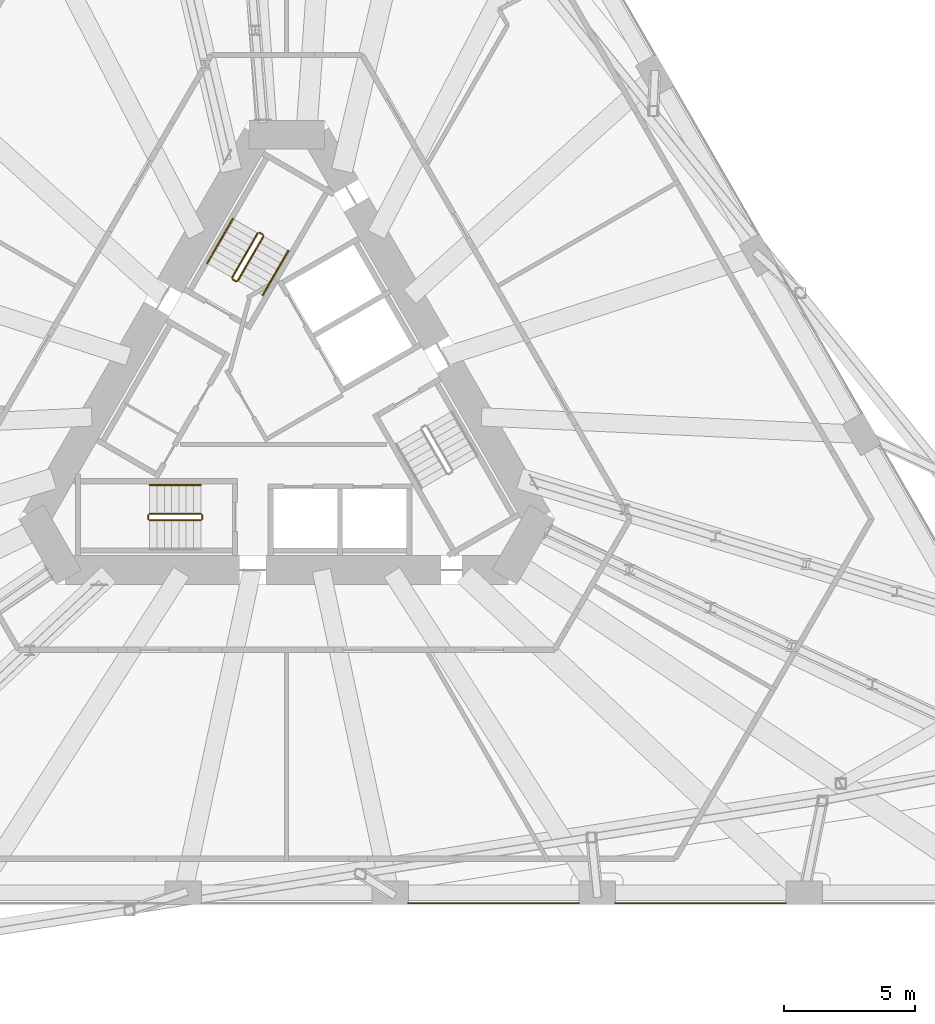
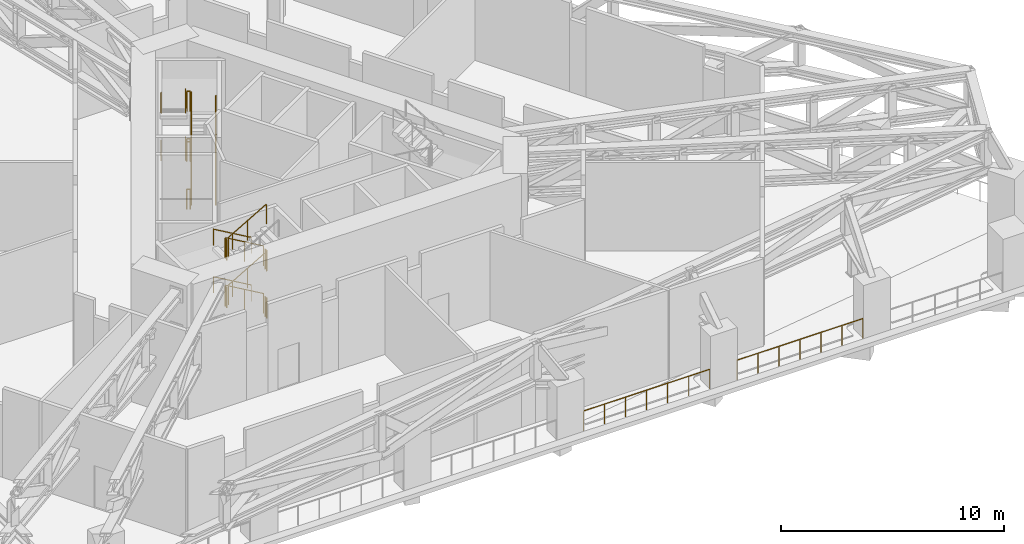
# One storey, part 18 of 20: 24 railings.
"""IFC4 building model written with IfcOpenShell, lengths in metres."""

from ifc_helpers import new_model, si_unit, direction, frame, origin, origin_2d, place, context, subcontext, project, spatial, circle, extrude, material, type_object, element, save


model = new_model("IFC4")

# Units and contexts
model_context = context("Model", 3, precision=1e-05, world=origin(), true_north=direction((0.0, 1.0)))
body_context = subcontext(model_context, "Body", "Model", "MODEL_VIEW")
ifc_project = project(units=[si_unit("LENGTHUNIT", "METRE"), si_unit("AREAUNIT", "SQUARE_METRE"), si_unit("VOLUMEUNIT", "CUBIC_METRE"), si_unit("PLANEANGLEUNIT", "RADIAN"), si_unit("MASSUNIT", "GRAM", prefix="KILO")], contexts=[model_context])

# Site, building, storey
site_placement = place(None, origin())
site = spatial("IfcSite", under=ifc_project, at=site_placement, CompositionType="ELEMENT")
building_placement = place(site_placement, origin())
building = spatial("IfcBuilding", under=site, at=building_placement, Name="Tramontana Tower", CompositionType="ELEMENT")
storey_placement = place(building_placement, frame((0.0, 0.0, 46.0)))
storey = spatial("IfcBuildingStorey", under=building, at=storey_placement, Name="L09", CompositionType="ELEMENT", Elevation=46.0)

# Railings
ifc_material_1 = material(Name="Stainless steel rail and posts", Category="steel")
railing_type_1 = type_object("IfcRailingType", Name="GD2 Terrace guard 1100", PredefinedType="GUARDRAIL", material=ifc_material_1)
for number, where, name in (
    (1, (4.658935546875, -18.949951171875, 0.0), "Edge guard L09 15"),
    (2, (12.576904296875, -18.949951171875, 0.0), "Edge guard L09 18"),
):
    element("IfcRailing", number, at=place(storey_placement, frame(where)), inside=storey, type_object=railing_type_1, Name=name, PredefinedType="GUARDRAIL", context=body_context, shape_type="SweptSolid", body=[
        extrude(circle(Radius=0.02392578125, at=origin_2d()), frame((0.0, 0.0, 1.076171875), z_axis=(1.0, 0.0, 0.0), x_axis=(0.0, 1.0, 0.0)), (0.0, 0.0, 1.0), 6.51806640625),
        extrude(circle(Radius=0.02099609375, at=origin_2d()), origin(), (0.0, 0.0, 1.0), 1.052001953125),
        extrude(circle(Radius=0.02099609375, at=origin_2d()), frame((1.08642578125, 0.0, 0.0)), (0.0, 0.0, 1.0), 1.052001953125),
        extrude(circle(Radius=0.02099609375, at=origin_2d()), frame((2.172607421875, 0.0, 0.0)), (0.0, 0.0, 1.0), 1.052001953125),
        extrude(circle(Radius=0.02099609375, at=origin_2d()), frame((3.259033203125, 0.0, 0.0)), (0.0, 0.0, 1.0), 1.052001953125),
        extrude(circle(Radius=0.02099609375, at=origin_2d()), frame((4.345458984375, 0.0, 0.0)), (0.0, 0.0, 1.0), 1.052001953125),
        extrude(circle(Radius=0.02099609375, at=origin_2d()), frame((5.431640625, 0.0, 0.0)), (0.0, 0.0, 1.0), 1.052001953125),
        extrude(circle(Radius=0.02099609375, at=origin_2d()), frame((6.51806640625, 0.0, 0.0)), (0.0, 0.0, 1.0), 1.052001953125),
    ])
ifc_material_2 = material(Name="Painted steel", Category="steel")
railing_type_2 = type_object("IfcRailingType", Name="STAIR GUARD 1100", PredefinedType="GUARDRAIL", material=ifc_material_2)
railing_1_placement = place(storey_placement, frame((-1.867431640625, 4.865478515625, 0.16259765625)))
element("IfcRailing", 3, at=railing_1_placement, inside=storey, type_object=railing_type_2, Name="L09 ST1 stair guard 1", PredefinedType="GUARDRAIL", context=body_context, shape_type="SweptSolid", body=[
    extrude(circle(Radius=0.02392578125, at=origin_2d()), frame((0.0, 0.0, 1.076171875), z_axis=(0.432431929651, 0.749053115811, 0.501918375746), x_axis=(-0.866042469362, 0.499970440388, 0.0)), (0.0, 0.0, 1.0), 2.26611328125),
    extrude(circle(Radius=0.02099609375, at=origin_2d()), origin(), (0.0, 0.0, 1.0), 1.052001953125),
    extrude(circle(Radius=0.02099609375, at=origin_2d()), frame((0.489990234375, 0.8486328125, 0.56884765625)), (0.0, 0.0, 1.0), 1.052001953125),
    extrude(circle(Radius=0.02099609375, at=origin_2d()), frame((0.97998046875, 1.697509765625, 1.137451171875)), (0.0, 0.0, 1.0), 1.052001953125),
])
railing_2_placement = place(storey_placement, frame((-1.10400390625, 6.68798828125, 1.46240234375)))
element("IfcRailing", 4, at=railing_2_placement, inside=storey, type_object=railing_type_2, Name="L09 ST1 stair guard 2", PredefinedType="GUARDRAIL", context=body_context, shape_type="SweptSolid", body=[
    extrude(circle(Radius=0.02392578125, at=origin_2d()), frame((0.0, 0.0, 1.076171875), z_axis=(-0.432408546523, -0.749012611852, 0.501998960338), x_axis=(0.866042469362, -0.499970440388, 0.0)), (0.0, 0.0, 1.0), 2.266357421875),
    extrude(circle(Radius=0.02099609375, at=origin_2d()), origin(), (0.0, 0.0, 1.0), 1.052001953125),
    extrude(circle(Radius=0.02099609375, at=origin_2d()), frame((-0.489990234375, -0.8486328125, 0.56884765625)), (0.0, 0.0, 1.0), 1.052001953125),
    extrude(circle(Radius=0.02099609375, at=origin_2d()), frame((-0.97998046875, -1.697509765625, 1.1376953125)), (0.0, 0.0, 1.0), 1.052001953125),
])
railing_3_placement = place(storey_placement, frame((-1.867431640625, 4.865478515625, 2.762451171875)))
element("IfcRailing", 5, at=railing_3_placement, inside=storey, type_object=railing_type_2, Name="L09 ST1 stair guard 3", PredefinedType="GUARDRAIL", context=body_context, shape_type="SweptSolid", body=[
    extrude(circle(Radius=0.02392578125, at=origin_2d()), frame((0.0, 0.0, 1.076171875), z_axis=(0.432431929651, 0.749053115811, 0.501918375746), x_axis=(-0.866042469362, 0.499970440388, 0.0)), (0.0, 0.0, 1.0), 2.26611328125),
    extrude(circle(Radius=0.02099609375, at=origin_2d()), origin(), (0.0, 0.0, 1.0), 1.052001953125),
    extrude(circle(Radius=0.02099609375, at=origin_2d()), frame((0.489990234375, 0.8486328125, 0.56884765625)), (0.0, 0.0, 1.0), 1.052001953125),
    extrude(circle(Radius=0.02099609375, at=origin_2d()), frame((0.97998046875, 1.697509765625, 1.137451171875)), (0.0, 0.0, 1.0), 1.052001953125),
])
railing_4_placement = place(storey_placement, frame((-1.10400390625, 6.68798828125, 4.0625)))
element("IfcRailing", 6, at=railing_4_placement, inside=storey, type_object=railing_type_2, Name="L09 ST1 stair guard 4", PredefinedType="GUARDRAIL", context=body_context, shape_type="SweptSolid", body=[
    extrude(circle(Radius=0.02392578125, at=origin_2d()), frame((0.0, 0.0, 1.076171875), z_axis=(-0.432431929651, -0.749053115811, 0.501918375746), x_axis=(0.866042469362, -0.499970440388, 0.0)), (0.0, 0.0, 1.0), 2.26611328125),
    extrude(circle(Radius=0.02099609375, at=origin_2d()), origin(), (0.0, 0.0, 1.0), 1.052001953125),
    extrude(circle(Radius=0.02099609375, at=origin_2d()), frame((-0.489990234375, -0.8486328125, 0.56884765625)), (0.0, 0.0, 1.0), 1.052001953125),
    extrude(circle(Radius=0.02099609375, at=origin_2d()), frame((-0.97998046875, -1.697509765625, 1.137451171875)), (0.0, 0.0, 1.0), 1.052001953125),
])
railing_5_placement = place(storey_placement, frame((-0.90576171875, 6.63134765625, 1.300048828125)))
element("IfcRailing", 7, at=railing_5_placement, inside=storey, type_object=railing_type_2, Name="L09 ST1 stair guard 5", PredefinedType="GUARDRAIL", context=body_context, shape_type="SweptSolid", body=[
    extrude(circle(Radius=0.02392578125, at=origin_2d()), frame((0.0, 0.0, 1.076171875), z_axis=(-0.866131372301, 0.499816412211, 0.0), x_axis=(-0.499816412211, -0.866131372301, 0.0)), (0.0, 0.0, 1.0), 0.14990234375),
    extrude(circle(Radius=0.02099609375, at=origin_2d()), origin(), (0.0, 0.0, 1.0), 1.052001953125),
    extrude(circle(Radius=0.02099609375, at=origin_2d()), frame((-0.1298828125, 0.074951171875, 0.0)), (0.0, 0.0, 1.0), 1.052001953125),
])
railing_6_placement = place(storey_placement, frame((-1.935791015625, 4.84716796875, 2.60009765625)))
element("IfcRailing", 8, at=railing_6_placement, inside=storey, type_object=railing_type_2, Name="L09 ST1 stair guard 6", PredefinedType="GUARDRAIL", context=body_context, shape_type="SweptSolid", body=[
    extrude(circle(Radius=0.02392578125, at=origin_2d()), frame((0.0, 0.0, 1.076171875), z_axis=(-0.865426285481, 0.501036270542, 0.0), x_axis=(-0.501036270542, -0.865426285481, 0.0)), (0.0, 0.0, 1.0), 0.150146484375),
    extrude(circle(Radius=0.02099609375, at=origin_2d()), origin(), (0.0, 0.0, 1.0), 1.052001953125),
    extrude(circle(Radius=0.02099609375, at=origin_2d()), frame((-0.1298828125, 0.0751953125, 0.0)), (0.0, 0.0, 1.0), 1.052001953125),
])
railing_7_placement = place(storey_placement, frame((-0.90576171875, 6.63134765625, 3.89990234375)))
element("IfcRailing", 9, at=railing_7_placement, inside=storey, type_object=railing_type_2, Name="L09 ST1 stair guard 7", PredefinedType="GUARDRAIL", context=body_context, shape_type="SweptSolid", body=[
    extrude(circle(Radius=0.02392578125, at=origin_2d()), frame((0.0, 0.0, 1.076171875), z_axis=(-0.866131372301, 0.499816412211, 0.0), x_axis=(-0.499816412211, -0.866131372301, 0.0)), (0.0, 0.0, 1.0), 0.14990234375),
    extrude(circle(Radius=0.02099609375, at=origin_2d()), origin(), (0.0, 0.0, 1.0), 1.052001953125),
    extrude(circle(Radius=0.02099609375, at=origin_2d()), frame((-0.1298828125, 0.074951171875, 0.0)), (0.0, 0.0, 1.0), 1.052001953125),
])
railing_8_placement = place(storey_placement, frame((-1.935791015625, 4.84716796875, 0.0)))
element("IfcRailing", 10, at=railing_8_placement, inside=storey, type_object=railing_type_2, Name="L09 ST1 stair guard 8", PredefinedType="GUARDRAIL", context=body_context, shape_type="SweptSolid", body=[
    extrude(circle(Radius=0.02392578125, at=origin_2d()), frame((0.0, 0.0, 1.076171875), z_axis=(-0.865426285481, 0.501036270542, 0.0), x_axis=(-0.501036270542, -0.865426285481, 0.0)), (0.0, 0.0, 1.0), 0.150146484375),
    extrude(circle(Radius=0.02099609375, at=origin_2d()), origin(), (0.0, 0.0, 1.0), 1.052001953125),
    extrude(circle(Radius=0.02099609375, at=origin_2d()), frame((-0.1298828125, 0.0751953125, 0.0)), (0.0, 0.0, 1.0), 1.052001953125),
])
railing_9_placement = place(storey_placement, frame((-3.280029296875, -4.050048828125, 0.16259765625)))
element("IfcRailing", 11, at=railing_9_placement, inside=storey, type_object=railing_type_2, Name="L09 ST2 stair guard 1", PredefinedType="GUARDRAIL", context=body_context, shape_type="SweptSolid", body=[
    extrude(circle(Radius=0.02392578125, at=origin_2d()), frame((0.0, 0.0, 1.076171875), z_axis=(-0.864902109995, 0.0, 0.501940574298), x_axis=(0.0, -1.0, 0.0)), (0.0, 0.0, 1.0), 2.26611328125),
    extrude(circle(Radius=0.02099609375, at=origin_2d()), origin(), (0.0, 0.0, 1.0), 1.052001953125),
    extrude(circle(Radius=0.02099609375, at=origin_2d()), frame((-0.97998046875, 0.0, 0.56884765625)), (0.0, 0.0, 1.0), 1.052001953125),
    extrude(circle(Radius=0.02099609375, at=origin_2d()), frame((-1.9599609375, 0.0, 1.137451171875)), (0.0, 0.0, 1.0), 1.052001953125),
])
railing_10_placement = place(storey_placement, frame((-5.239990234375, -4.300048828125, 1.46240234375)))
element("IfcRailing", 12, at=railing_10_placement, inside=storey, type_object=railing_type_2, Name="L09 ST2 stair guard 2", PredefinedType="GUARDRAIL", context=body_context, shape_type="SweptSolid", body=[
    extrude(circle(Radius=0.02392578125, at=origin_2d()), frame((0.0, 0.0, 1.076171875), z_axis=(0.864855337533, 0.0, 0.502021160053), x_axis=(0.0, 1.0, 0.0)), (0.0, 0.0, 1.0), 2.26611328125),
    extrude(circle(Radius=0.02099609375, at=origin_2d()), origin(), (0.0, 0.0, 1.0), 1.052001953125),
    extrude(circle(Radius=0.02099609375, at=origin_2d()), frame((0.97998046875, 0.0, 0.56884765625)), (0.0, 0.0, 1.0), 1.052001953125),
    extrude(circle(Radius=0.02099609375, at=origin_2d()), frame((1.9599609375, 0.0, 1.1376953125)), (0.0, 0.0, 1.0), 1.052001953125),
])
railing_11_placement = place(storey_placement, frame((-3.280029296875, -4.050048828125, 2.762451171875)))
element("IfcRailing", 13, at=railing_11_placement, inside=storey, type_object=railing_type_2, Name="L09 ST2 stair guard 3", PredefinedType="GUARDRAIL", context=body_context, shape_type="SweptSolid", body=[
    extrude(circle(Radius=0.02392578125, at=origin_2d()), frame((0.0, 0.0, 1.076171875), z_axis=(-0.864902109995, 0.0, 0.501940574298), x_axis=(0.0, -1.0, 0.0)), (0.0, 0.0, 1.0), 2.26611328125),
    extrude(circle(Radius=0.02099609375, at=origin_2d()), origin(), (0.0, 0.0, 1.0), 1.052001953125),
    extrude(circle(Radius=0.02099609375, at=origin_2d()), frame((-0.97998046875, 0.0, 0.56884765625)), (0.0, 0.0, 1.0), 1.052001953125),
    extrude(circle(Radius=0.02099609375, at=origin_2d()), frame((-1.9599609375, 0.0, 1.137451171875)), (0.0, 0.0, 1.0), 1.052001953125),
])
railing_12_placement = place(storey_placement, frame((-5.239990234375, -4.300048828125, 4.0625)))
element("IfcRailing", 14, at=railing_12_placement, inside=storey, type_object=railing_type_2, Name="L09 ST2 stair guard 4", PredefinedType="GUARDRAIL", context=body_context, shape_type="SweptSolid", body=[
    extrude(circle(Radius=0.02392578125, at=origin_2d()), frame((0.0, 0.0, 1.076171875), z_axis=(0.864902109995, 0.0, 0.501940574298), x_axis=(0.0, 1.0, 0.0)), (0.0, 0.0, 1.0), 2.26611328125),
    extrude(circle(Radius=0.02099609375, at=origin_2d()), origin(), (0.0, 0.0, 1.0), 1.052001953125),
    extrude(circle(Radius=0.02099609375, at=origin_2d()), frame((0.97998046875, 0.0, 0.56884765625)), (0.0, 0.0, 1.0), 1.052001953125),
    extrude(circle(Radius=0.02099609375, at=origin_2d()), frame((1.9599609375, 0.0, 1.137451171875)), (0.0, 0.0, 1.0), 1.052001953125),
])
for number, where, name in (
    (15, (-5.2900390625, -4.10009765625, 1.300048828125), "L09 ST2 stair guard 5"),
    (16, (-3.22998046875, -4.10009765625, 2.60009765625), "L09 ST2 stair guard 6"),
    (17, (-5.2900390625, -4.10009765625, 3.89990234375), "L09 ST2 stair guard 7"),
    (18, (-3.22998046875, -4.10009765625, 0.0), "L09 ST2 stair guard 8"),
):
    element("IfcRailing", number, at=place(storey_placement, frame(where)), inside=storey, type_object=railing_type_2, Name=name, PredefinedType="GUARDRAIL", context=body_context, shape_type="SweptSolid", body=[
        extrude(circle(Radius=0.02392578125, at=origin_2d()), frame((0.0, 0.0, 1.076171875), z_axis=(0.0, -1.0, 0.0), x_axis=(1.0, 0.0, 0.0)), (0.0, 0.0, 1.0), 0.14990234375),
        extrude(circle(Radius=0.02099609375, at=origin_2d()), origin(), (0.0, 0.0, 1.0), 1.052001953125),
        extrude(circle(Radius=0.02099609375, at=origin_2d()), frame((0.0, -0.14990234375, 0.0)), (0.0, 0.0, 1.0), 1.052001953125),
    ])
ifc_material_3 = material(Name="Painted steel", Category="steel")
railing_type_3 = type_object("IfcRailingType", Name="STAIR HANDRAIL 900", PredefinedType="HANDRAIL", material=ifc_material_3)
railing_13_placement = place(storey_placement, frame((-0.914794921875, 4.315673828125, 0.16259765625)))
element("IfcRailing", 19, at=railing_13_placement, inside=storey, type_object=railing_type_3, Name="L09 ST1 stair handrail 1", PredefinedType="HANDRAIL", context=body_context, shape_type="SweptSolid", body=[
    extrude(circle(Radius=0.02392578125, at=origin_2d()), frame((0.0, 0.0, 0.8759765625), z_axis=(0.432466826973, 0.749005824891, 0.501958880634), x_axis=(-0.866011328839, 0.500024377727, 0.0)), (0.0, 0.0, 1.0), 2.26611328125),
    extrude(circle(Radius=0.02099609375, at=origin_2d()), origin(), (0.0, 0.0, 1.0), 0.851806640625),
    extrude(circle(Radius=0.02099609375, at=origin_2d()), frame((0.489990234375, 0.8486328125, 0.56884765625)), (0.0, 0.0, 1.0), 0.851806640625),
    extrude(circle(Radius=0.02099609375, at=origin_2d()), frame((0.97998046875, 1.697265625, 1.137451171875)), (0.0, 0.0, 1.0), 0.851806640625),
])
railing_14_placement = place(storey_placement, frame((-2.056640625, 7.238037109375, 1.46240234375)))
element("IfcRailing", 20, at=railing_14_placement, inside=storey, type_object=railing_type_3, Name="L09 ST1 stair handrail 2", PredefinedType="HANDRAIL", context=body_context, shape_type="SweptSolid", body=[
    extrude(circle(Radius=0.02392578125, at=origin_2d()), frame((0.0, 0.0, 0.8759765625), z_axis=(-0.432408546523, -0.749012611852, 0.501998960338), x_axis=(0.866042469362, -0.499970440388, 0.0)), (0.0, 0.0, 1.0), 2.266357421875),
    extrude(circle(Radius=0.02099609375, at=origin_2d()), origin(), (0.0, 0.0, 1.0), 0.851806640625),
    extrude(circle(Radius=0.02099609375, at=origin_2d()), frame((-0.489990234375, -0.8486328125, 0.56884765625)), (0.0, 0.0, 1.0), 0.851806640625),
    extrude(circle(Radius=0.02099609375, at=origin_2d()), frame((-0.97998046875, -1.697509765625, 1.1376953125)), (0.0, 0.0, 1.0), 0.851806640625),
])
railing_15_placement = place(storey_placement, frame((-0.914794921875, 4.315673828125, 2.762451171875)))
element("IfcRailing", 21, at=railing_15_placement, inside=storey, type_object=railing_type_3, Name="L09 ST1 stair handrail 3", PredefinedType="HANDRAIL", context=body_context, shape_type="SweptSolid", body=[
    extrude(circle(Radius=0.02392578125, at=origin_2d()), frame((0.0, 0.0, 0.8759765625), z_axis=(0.432466826973, 0.749005824891, 0.501958880634), x_axis=(-0.866011328839, 0.500024377727, 0.0)), (0.0, 0.0, 1.0), 2.26611328125),
    extrude(circle(Radius=0.02099609375, at=origin_2d()), origin(), (0.0, 0.0, 1.0), 0.851806640625),
    extrude(circle(Radius=0.02099609375, at=origin_2d()), frame((0.489990234375, 0.8486328125, 0.56884765625)), (0.0, 0.0, 1.0), 0.851806640625),
    extrude(circle(Radius=0.02099609375, at=origin_2d()), frame((0.97998046875, 1.697265625, 1.137451171875)), (0.0, 0.0, 1.0), 0.851806640625),
])
railing_16_placement = place(storey_placement, frame((-2.056640625, 7.238037109375, 4.0625)))
element("IfcRailing", 22, at=railing_16_placement, inside=storey, type_object=railing_type_3, Name="L09 ST1 stair handrail 4", PredefinedType="HANDRAIL", context=body_context, shape_type="SweptSolid", body=[
    extrude(circle(Radius=0.02392578125, at=origin_2d()), frame((0.0, 0.0, 0.8759765625), z_axis=(-0.432431929651, -0.749053115811, 0.501918375746), x_axis=(0.866042469362, -0.499970440388, 0.0)), (0.0, 0.0, 1.0), 2.26611328125),
    extrude(circle(Radius=0.02099609375, at=origin_2d()), origin(), (0.0, 0.0, 1.0), 0.851806640625),
    extrude(circle(Radius=0.02099609375, at=origin_2d()), frame((-0.489990234375, -0.8486328125, 0.56884765625)), (0.0, 0.0, 1.0), 0.851806640625),
    extrude(circle(Radius=0.02099609375, at=origin_2d()), frame((-0.97998046875, -1.697509765625, 1.137451171875)), (0.0, 0.0, 1.0), 0.851806640625),
])
for number, where, name in (
    (23, (-3.280029296875, -2.949951171875, 0.16259765625), "L09 ST2 stair handrail 1"),
    (24, (-3.280029296875, -2.949951171875, 2.762451171875), "L09 ST2 stair handrail 3"),
):
    element("IfcRailing", number, at=place(storey_placement, frame(where)), inside=storey, type_object=railing_type_3, Name=name, PredefinedType="HANDRAIL", context=body_context, shape_type="SweptSolid", body=[
        extrude(circle(Radius=0.02392578125, at=origin_2d()), frame((0.0, 0.0, 0.8759765625), z_axis=(-0.864902109995, 0.0, 0.501940574298), x_axis=(0.0, -1.0, 0.0)), (0.0, 0.0, 1.0), 2.26611328125),
        extrude(circle(Radius=0.02099609375, at=origin_2d()), origin(), (0.0, 0.0, 1.0), 0.851806640625),
        extrude(circle(Radius=0.02099609375, at=origin_2d()), frame((-0.97998046875, 0.0, 0.56884765625)), (0.0, 0.0, 1.0), 0.851806640625),
        extrude(circle(Radius=0.02099609375, at=origin_2d()), frame((-1.9599609375, 0.0, 1.137451171875)), (0.0, 0.0, 1.0), 0.851806640625),
    ])

save(model, "model.ifc")
